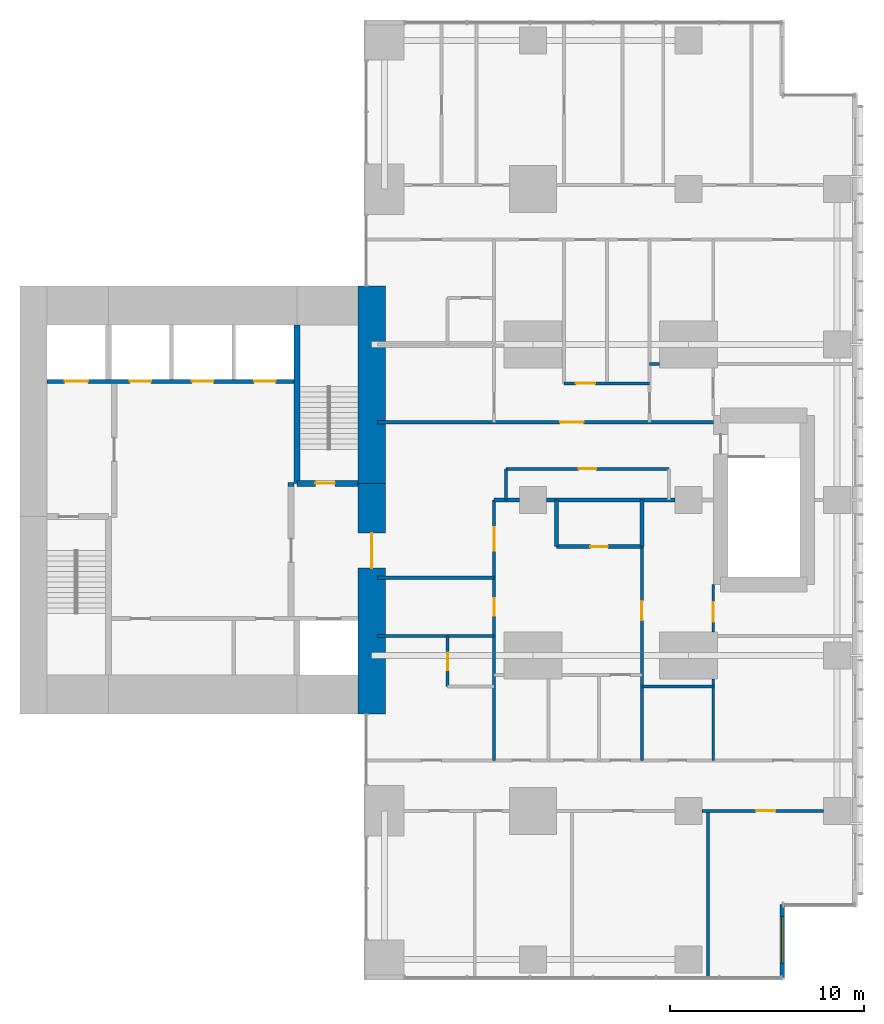
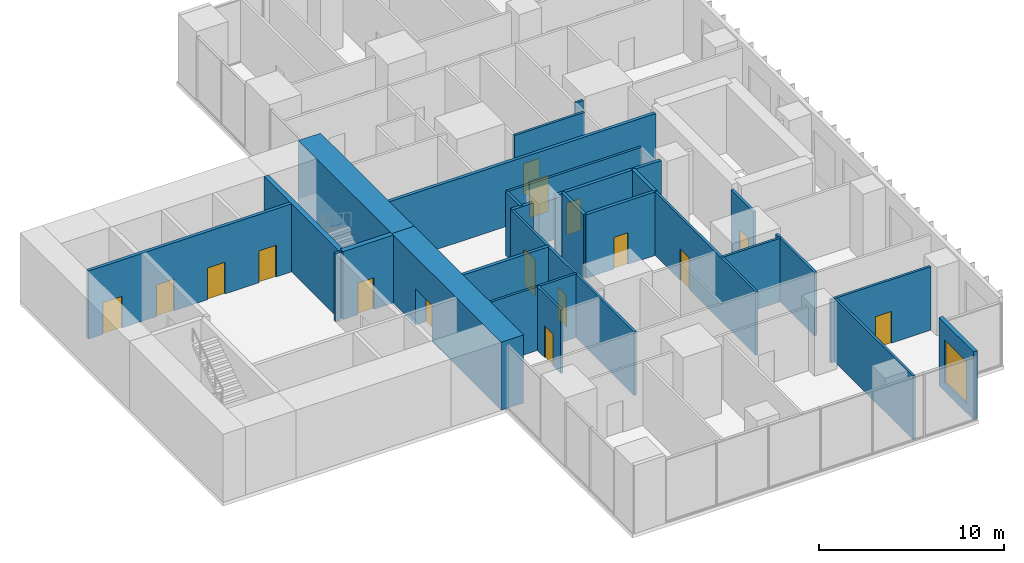
# One storey, part 8 of 11: 27 walls, 16 doors, 1 window, 17 openings.
"""IFC4 building model written with IfcOpenShell, lengths in metres."""

from ifc_helpers import new_model, si_unit, direction, frame, frame_2d, origin, place, context, subcontext, project, spatial, rectangle, extrude, material, layer, layer_set, type_object, element, fill, save


model = new_model("IFC4")

# Units and contexts
model_context = context("Model", 3, precision=1e-05, world=origin(), true_north=direction((0.0, 1.0)))
body_context = subcontext(model_context, "Body", "Model", "MODEL_VIEW")
ifc_project = project(units=[si_unit("LENGTHUNIT", "METRE"), si_unit("AREAUNIT", "SQUARE_METRE"), si_unit("VOLUMEUNIT", "CUBIC_METRE"), si_unit("PLANEANGLEUNIT", "RADIAN"), si_unit("MASSUNIT", "GRAM", prefix="KILO")], contexts=[model_context])

# Site, building, storey
site_placement = place(None, origin())
site = spatial("IfcSite", under=ifc_project, at=site_placement, CompositionType="ELEMENT")
building_placement = place(site_placement, origin())
building = spatial("IfcBuilding", under=site, at=building_placement, Name="Cleftline Residences", CompositionType="ELEMENT")
storey_placement = place(building_placement, frame((0.0, 0.0, 287.10009765625)))
storey = spatial("IfcBuildingStorey", under=building, at=storey_placement, Name="L75", CompositionType="ELEMENT", Elevation=287.10009765625)

# Wall, opening, door
ifc_material_1 = material(Name="Concrete B70", Category="concrete")
ifc_layer_1 = layer(ifc_material_1, 1.39990234375)
ifc_layer_set_1 = layer_set([ifc_layer_1], Name="CORE WALL 1400")
wall_type_1 = type_object("IfcWallType", Name="CORE WALL 1400", PredefinedType="SHEAR", material=ifc_layer_set_1)
wall_1_placement = place(storey_placement, frame((41.699951171875, 13.0, 0.0), z_axis=(0.0, 0.0, 1.0), x_axis=(0.0, 1.0, 0.0)))
wall_1 = element("IfcWall", 1, at=wall_1_placement, inside=storey, type_object=wall_type_1, Name="Core wall E", PredefinedType="SHEAR", context=body_context, shape_type="SweptSolid", body=[
    extrude(rectangle(XDim=11.85009765625, YDim=1.39990234375, at=frame_2d((5.925048828125, 0.0))), origin(), (0.0, 0.0, 1.0), 4.5),
])
opening_1_placement = place(wall_1_placement, frame((7.5, 0.0, 0.0)))
opening_1 = element("IfcOpeningElement", 2, at=opening_1_placement, cuts=wall_1, Name="Opening D7", PredefinedType="OPENING", context=body_context, shape_type="SweptSolid", body=[
    extrude(rectangle(XDim=1.800048828125, YDim=2.39990234375, at=frame_2d((0.89990234375, 1.199951171875))), frame((0.0, 0.7099609375, 0.0), z_axis=(0.0, -1.0, 0.0), x_axis=(1.0, 0.0, 0.0)), (0.0, 0.0, 1.0), 1.419921875),
])
ifc_material_2 = material(Name="Steel", Category="steel")
door_type_1 = type_object("IfcDoorType", Name="WING DOOR 1800X2400", OperationType="DOUBLE_DOOR_DOUBLE_SWING", PredefinedType="DOOR", material=ifc_material_2)
door_1_placement = place(opening_1_placement, origin())
door_1 = element("IfcDoor", 3, at=door_1_placement, inside=storey, type_object=door_type_1, Name="East wing door", OperationType="DOUBLE_DOOR_DOUBLE_SWING", OverallHeight=2.39990234375, OverallWidth=1.800048828125, PredefinedType="DOOR", context=body_context, shape_type="SweptSolid", body=[
    extrude(rectangle(XDim=1.800048828125, YDim=2.39990234375, at=frame_2d((0.89990234375, 1.199951171875))), frame((0.0, 0.02490234375, 0.0), z_axis=(0.0, -1.0, 0.0), x_axis=(1.0, 0.0, 0.0)), (0.0, 0.0, 1.0), 0.050048828125),
])
fill(opening_1, door_1)

# Walls
wall_2_placement = place(storey_placement, frame((41.699951171875, 24.85009765625, 0.0), z_axis=(0.0, 0.0, 1.0), x_axis=(0.0, 1.0, 0.0)))
element("IfcWall", 4, at=wall_2_placement, inside=storey, type_object=wall_type_1, Name="Core wall E1", PredefinedType="SHEAR", context=body_context, shape_type="SweptSolid", body=[
    extrude(rectangle(XDim=10.14990234375, YDim=1.39990234375, at=frame_2d((5.074951171875, 0.0))), origin(), (0.0, 0.0, 1.0), 4.5),
])
ifc_material_3 = material(Name="Concrete B70", Category="concrete")
ifc_layer_2 = layer(ifc_material_3, 0.300048828125)
ifc_layer_set_2 = layer_set([ifc_layer_2], Name="CORE WALL 300")
wall_type_2 = type_object("IfcWallType", Name="CORE WALL 300", PredefinedType="SHEAR", material=ifc_layer_set_2)
wall_3_placement = place(storey_placement, frame((37.85009765625, 24.85009765625, 0.0), z_axis=(0.0, 0.0, 1.0), x_axis=(0.0, 1.0, 0.0)))
element("IfcWall", 5, at=wall_3_placement, inside=storey, type_object=wall_type_2, Name="Core wall SB-W", PredefinedType="SHEAR", context=body_context, shape_type="SweptSolid", body=[
    extrude(rectangle(XDim=8.14990234375, YDim=0.300048828125, at=frame_2d((4.074951171875, 0.0))), origin(), (0.0, 0.0, 1.0), 4.5),
])

# Wall, opening, door
wall_4_placement = place(storey_placement, frame((37.85009765625, 24.85009765625, 0.0), z_axis=(0.0, 0.0, 1.0), x_axis=(1.0, 0.0, 0.0)))
wall_4 = element("IfcWall", 6, at=wall_4_placement, inside=storey, type_object=wall_type_2, Name="Core wall SB-S", PredefinedType="SHEAR", context=body_context, shape_type="SweptSolid", body=[
    extrude(rectangle(XDim=3.14990234375, YDim=0.300048828125, at=frame_2d((1.574951171875, 0.0))), origin(), (0.0, 0.0, 1.0), 4.5),
])
opening_2_placement = place(wall_4_placement, frame((0.949951171875, 0.0, 0.0)))
opening_2 = element("IfcOpeningElement", 7, at=opening_2_placement, cuts=wall_4, Name="Opening D5", PredefinedType="OPENING", context=body_context, shape_type="SweptSolid", body=[
    extrude(rectangle(XDim=1.0, YDim=2.10009765625, at=frame_2d((0.5, 1.050048828125))), frame((0.0, 0.159912109375, 0.0), z_axis=(0.0, -1.0, 0.0), x_axis=(1.0, 0.0, 0.0)), (0.0, 0.0, 1.0), 0.320068359375),
])
ifc_material_4 = material(Name="Steel", Category="steel")
door_type_2 = type_object("IfcDoorType", Name="STAIR DOOR 1000X2100", OperationType="SINGLE_SWING_LEFT", PredefinedType="DOOR", material=ifc_material_4)
door_2_placement = place(opening_2_placement, origin())
door_2 = element("IfcDoor", 8, at=door_2_placement, inside=storey, type_object=door_type_2, Name="Stair B door", OperationType="SINGLE_SWING_RIGHT", OverallHeight=2.10009765625, OverallWidth=1.0, PredefinedType="DOOR", context=body_context, shape_type="SweptSolid", body=[
    extrude(rectangle(XDim=1.0, YDim=2.10009765625, at=frame_2d((0.5, 1.050048828125))), frame((0.0, 0.02490234375, 0.0), z_axis=(0.0, -1.0, 0.0), x_axis=(1.0, 0.0, 0.0)), (0.0, 0.0, 1.0), 0.050048828125),
])
fill(opening_2, door_2)

# Wall, opening, window
ifc_material_5 = material(Name="Rendered reinforced concrete blockwork", Category="masonry")
ifc_layer_3 = layer(ifc_material_5, 0.25)
ifc_layer_set_3 = layer_set([ifc_layer_3], Name="EXTERNAL WALL 250")
wall_type_3 = type_object("IfcWallType", Name="EXTERNAL WALL 250", PredefinedType="SOLIDWALL", material=ifc_layer_set_3)
wall_5_placement = place(storey_placement, frame((62.824951171875, -0.574951171875, 0.0), z_axis=(0.0, 0.0, 1.0), x_axis=(0.0, 1.0, 0.0)))
wall_5 = element("IfcWall", 9, at=wall_5_placement, inside=storey, type_object=wall_type_3, Name="External wall", PredefinedType="SOLIDWALL", context=body_context, shape_type="SweptSolid", body=[
    extrude(rectangle(XDim=3.75, YDim=0.25, at=frame_2d((1.875, 0.0))), origin(), (0.0, 0.0, 1.0), 4.5),
])
opening_3_placement = place(wall_5_placement, frame((0.737548828125, 0.0, 0.60009765625)))
opening_3 = element("IfcOpeningElement", 10, at=opening_3_placement, cuts=wall_5, Name="Opening W15", PredefinedType="OPENING", context=body_context, shape_type="SweptSolid", body=[
    extrude(rectangle(XDim=2.39990234375, YDim=2.800048828125, at=frame_2d((1.199951171875, 1.39990234375))), frame((0.0, 0.135009765625, 0.0), z_axis=(0.0, -1.0, 0.0), x_axis=(1.0, 0.0, 0.0)), (0.0, 0.0, 1.0), 0.27001953125),
])
ifc_material_6 = material(Name="Aluminium frame, clear double glazing", Category="aluminium")
window_type = type_object("IfcWindowType", Name="WINDOW 2400X2800", PartitioningType="DOUBLE_PANEL_VERTICAL", PredefinedType="WINDOW", material=ifc_material_6)
window_placement = place(opening_3_placement, origin())
window = element("IfcWindow", 11, at=window_placement, inside=storey, type_object=window_type, Name="Window", OverallHeight=2.800048828125, OverallWidth=2.39990234375, PartitioningType="SINGLE_PANEL", PredefinedType="WINDOW", context=body_context, shape_type="SweptSolid", body=[
    extrude(rectangle(XDim=2.39990234375, YDim=2.800048828125, at=frame_2d((1.199951171875, 1.39990234375))), frame((0.0, 0.030029296875, 0.0), z_axis=(0.0, -1.0, 0.0), x_axis=(1.0, 0.0, 0.0)), (0.0, 0.0, 1.0), 0.06005859375),
])
fill(opening_3, window)

# Wall
ifc_material_7 = material(Name="Concrete blockwork, fire rated", Category="masonry")
ifc_layer_4 = layer(ifc_material_7, 0.199951171875)
ifc_layer_set_4 = layer_set([ifc_layer_4], Name="FIRE WALL 200")
wall_type_4 = type_object("IfcWallType", Name="FIRE WALL 200", PredefinedType="PARTITIONING", material=ifc_layer_set_4)
wall_6_placement = place(storey_placement, frame((42.0, 20.0, 0.0), z_axis=(0.0, 0.0, 1.0), x_axis=(1.0, 0.0, 0.0)))
element("IfcWall", 12, at=wall_6_placement, inside=storey, type_object=wall_type_4, Name="Fire separating wall", PredefinedType="PARTITIONING", context=body_context, shape_type="SweptSolid", body=[
    extrude(rectangle(XDim=6.0, YDim=0.199951171875, at=frame_2d((3.0, 0.0))), origin(), (0.0, 0.0, 1.0), 4.199951171875),
])

# Wall, opening, door
wall_7_placement = place(storey_placement, frame((51.199951171875, 21.60009765625, 0.0), z_axis=(0.0, 0.0, 1.0), x_axis=(1.0, 0.0, 0.0)))
wall_7 = element("IfcWall", 13, at=wall_7_placement, inside=storey, type_object=wall_type_4, Name="Fire separating wall", PredefinedType="PARTITIONING", context=body_context, shape_type="SweptSolid", body=[
    extrude(rectangle(XDim=4.400146484375, YDim=0.199951171875, at=frame_2d((2.2001953125, 0.0))), origin(), (0.0, 0.0, 1.0), 4.199951171875),
])
opening_4_placement = place(wall_7_placement, frame((1.75, 0.0, 0.0)))
opening_4 = element("IfcOpeningElement", 14, at=opening_4_placement, cuts=wall_7, Name="Opening D1F30", PredefinedType="OPENING", context=body_context, shape_type="SweptSolid", body=[
    extrude(rectangle(XDim=0.89990234375, YDim=2.10009765625, at=frame_2d((0.449951171875, 1.050048828125))), frame((0.0, 0.10986328125, 0.0), z_axis=(0.0, -1.0, 0.0), x_axis=(1.0, 0.0, 0.0)), (0.0, 0.0, 1.0), 0.219970703125),
])
ifc_material_8 = material(Name="Timber veneer on solid core", Category="wood")
door_type_3 = type_object("IfcDoorType", Name="DOOR 900X2100 EI 30", OperationType="SINGLE_SWING_LEFT", PredefinedType="DOOR", material=ifc_material_8)
door_3_placement = place(opening_4_placement, origin())
door_3 = element("IfcDoor", 15, at=door_3_placement, inside=storey, type_object=door_type_3, Name="Door to cloakroom wc", OperationType="SINGLE_SWING_LEFT", OverallHeight=2.10009765625, OverallWidth=0.89990234375, PredefinedType="DOOR", context=body_context, shape_type="SweptSolid", body=[
    extrude(rectangle(XDim=0.89990234375, YDim=2.10009765625, at=frame_2d((0.449951171875, 1.050048828125))), frame((0.0, 0.02490234375, 0.0), z_axis=(0.0, -1.0, 0.0), x_axis=(1.0, 0.0, 0.0)), (0.0, 0.0, 1.0), 0.050048828125),
])
fill(opening_4, door_3)

# Walls
wall_8_placement = place(storey_placement, frame((48.0, 24.0, 0.0), z_axis=(0.0, 0.0, 1.0), x_axis=(1.0, 0.0, 0.0)))
element("IfcWall", 16, at=wall_8_placement, inside=storey, type_object=wall_type_4, Name="Fire separating wall", PredefinedType="PARTITIONING", context=body_context, shape_type="SweptSolid", body=[
    extrude(rectangle(XDim=1.300048828125, YDim=0.199951171875, at=frame_2d((0.64990234375, 0.0))), origin(), (0.0, 0.0, 1.0), 4.199951171875),
])
wall_9_placement = place(storey_placement, frame((50.699951171875, 24.0, 0.0), z_axis=(0.0, 0.0, 1.0), x_axis=(1.0, 0.0, 0.0)))
element("IfcWall", 17, at=wall_9_placement, inside=storey, type_object=wall_type_4, Name="Fire separating wall", PredefinedType="PARTITIONING", context=body_context, shape_type="SweptSolid", body=[
    extrude(rectangle(XDim=6.60009765625, YDim=0.199951171875, at=frame_2d((3.300048828125, 0.0))), origin(), (0.0, 0.0, 1.0), 4.199951171875),
])

# Wall, opening, door
wall_10_placement = place(storey_placement, frame((42.0, 28.0, 0.0), z_axis=(0.0, 0.0, 1.0), x_axis=(1.0, 0.0, 0.0)))
wall_10 = element("IfcWall", 18, at=wall_10_placement, inside=storey, type_object=wall_type_4, Name="Fire separating wall", PredefinedType="PARTITIONING", context=body_context, shape_type="SweptSolid", body=[
    extrude(rectangle(XDim=17.27490234375, YDim=0.199951171875, at=frame_2d((8.637451171875, 0.0))), origin(), (0.0, 0.0, 1.0), 4.199951171875),
])
opening_5_placement = place(wall_10_placement, frame((9.39990234375, 0.0, 0.0)))
opening_5 = element("IfcOpeningElement", 19, at=opening_5_placement, cuts=wall_10, Name="Opening D4", PredefinedType="OPENING", context=body_context, shape_type="SweptSolid", body=[
    extrude(rectangle(XDim=1.199951171875, YDim=2.39990234375, at=frame_2d((0.60009765625, 1.199951171875))), frame((0.0, 0.10986328125, 0.0), z_axis=(0.0, -1.0, 0.0), x_axis=(1.0, 0.0, 0.0)), (0.0, 0.0, 1.0), 0.219970703125),
])
ifc_material_9 = material(Name="Timber veneer on solid core", Category="wood")
door_type_4 = type_object("IfcDoorType", Name="APARTMENT ENTRANCE DOOR 1200X2400", OperationType="SINGLE_SWING_RIGHT", PredefinedType="DOOR", material=ifc_material_9)
door_4_placement = place(opening_5_placement, origin())
door_4 = element("IfcDoor", 20, at=door_4_placement, inside=storey, type_object=door_type_4, Name="Door to residence entrance (gallery)", OperationType="SINGLE_SWING_LEFT", OverallHeight=2.39990234375, OverallWidth=1.199951171875, PredefinedType="DOOR", context=body_context, shape_type="SweptSolid", body=[
    extrude(rectangle(XDim=1.199951171875, YDim=2.39990234375, at=frame_2d((0.60009765625, 1.199951171875))), frame((0.0, 0.02490234375, 0.0), z_axis=(0.0, -1.0, 0.0), x_axis=(1.0, 0.0, 0.0)), (0.0, 0.0, 1.0), 0.050048828125),
])
fill(opening_5, door_4)

# Walls
for number, where, z_axis, x_axis, name in (
    (21, (51.199951171875, 21.60009765625, 0.0), (0.0, 0.0, 1.0), (0.0, 1.0, 0.0), "Fire separating wall"),
    (22, (55.60009765625, 21.60009765625, 0.0), (0.0, 0.0, 1.0), (0.0, 1.0, 0.0), "Fire separating wall"),
):
    element("IfcWall", number, at=place(storey_placement, frame(where, z_axis=z_axis, x_axis=x_axis)), inside=storey, type_object=wall_type_4, Name=name, PredefinedType="PARTITIONING", context=body_context, shape_type="SweptSolid", body=[
        extrude(rectangle(XDim=2.39990234375, YDim=0.199951171875, at=frame_2d((1.199951171875, 0.0))), origin(), (0.0, 0.0, 1.0), 4.199951171875),
    ])
wall_11_placement = place(storey_placement, frame((37.39990234375, 24.800048828125, 0.0), z_axis=(0.0, 0.0, 1.0), x_axis=(1.0, 0.0, 0.0)))
element("IfcWall", 23, at=wall_11_placement, inside=storey, type_object=wall_type_4, Name="Fire separating wall", PredefinedType="PARTITIONING", context=body_context, shape_type="SweptSolid", body=[
    extrude(rectangle(XDim=0.300048828125, YDim=0.199951171875, at=frame_2d((0.14990234375, 0.0))), origin(), (0.0, 0.0, 1.0), 4.5),
])

# Wall, opening, door
ifc_material_10 = material(Name="Gypsum board on steel studs", Category="steel")
ifc_layer_5 = layer(ifc_material_10, 0.14990234375)
ifc_layer_set_5 = layer_set([ifc_layer_5], Name="PARTITION 150")
wall_type_5 = type_object("IfcWallType", Name="PARTITION 150", PredefinedType="PARTITIONING", material=ifc_layer_set_5)
wall_12_placement = place(storey_placement, frame((58.699951171875, 8.0, 0.0), z_axis=(0.0, 0.0, 1.0), x_axis=(1.0, 0.0, 0.0)))
wall_12 = element("IfcWall", 24, at=wall_12_placement, inside=storey, type_object=wall_type_5, Name="Partition", PredefinedType="PARTITIONING", context=body_context, shape_type="SweptSolid", body=[
    extrude(rectangle(XDim=6.25, YDim=0.14990234375, at=frame_2d((3.125, 0.0))), origin(), (0.0, 0.0, 1.0), 4.199951171875),
])
opening_6_placement = place(wall_12_placement, frame((2.77490234375, 0.0, 0.0)))
opening_6 = element("IfcOpeningElement", 25, at=opening_6_placement, cuts=wall_12, Name="Opening D2", PredefinedType="OPENING", context=body_context, shape_type="SweptSolid", body=[
    extrude(rectangle(XDim=1.0, YDim=2.10009765625, at=frame_2d((0.5, 1.050048828125))), frame((0.0, 0.0849609375, 0.0), z_axis=(0.0, -1.0, 0.0), x_axis=(1.0, 0.0, 0.0)), (0.0, 0.0, 1.0), 0.169921875),
])
ifc_material_11 = material(Name="Timber veneer on solid core", Category="wood")
door_type_5 = type_object("IfcDoorType", Name="DOOR 1000X2100", OperationType="SINGLE_SWING_LEFT", PredefinedType="DOOR", material=ifc_material_11)
door_5_placement = place(opening_6_placement, origin())
door_5 = element("IfcDoor", 26, at=door_5_placement, inside=storey, type_object=door_type_5, Name="Door to winter garden", OperationType="SINGLE_SWING_LEFT", OverallHeight=2.10009765625, OverallWidth=1.0, PredefinedType="DOOR", context=body_context, shape_type="SweptSolid", body=[
    extrude(rectangle(XDim=1.0, YDim=2.10009765625, at=frame_2d((0.5, 1.050048828125))), frame((0.0, 0.02490234375, 0.0), z_axis=(0.0, -1.0, 0.0), x_axis=(1.0, 0.0, 0.0)), (0.0, 0.0, 1.0), 0.050048828125),
])
fill(opening_6, door_5)

# Walls
wall_13_placement = place(storey_placement, frame((55.60009765625, 14.39990234375, 0.0), z_axis=(0.0, 0.0, 1.0), x_axis=(1.0, 0.0, 0.0)))
element("IfcWall", 27, at=wall_13_placement, inside=storey, type_object=wall_type_5, Name="Partition", PredefinedType="PARTITIONING", context=body_context, shape_type="SweptSolid", body=[
    extrude(rectangle(XDim=3.6748046875, YDim=0.14990234375, at=frame_2d((1.83740234375, 0.0))), origin(), (0.0, 0.0, 1.0), 4.199951171875),
])
wall_14_placement = place(storey_placement, frame((42.0, 17.0, 0.0), z_axis=(0.0, 0.0, 1.0), x_axis=(1.0, 0.0, 0.0)))
element("IfcWall", 28, at=wall_14_placement, inside=storey, type_object=wall_type_5, Name="Partition", PredefinedType="PARTITIONING", context=body_context, shape_type="SweptSolid", body=[
    extrude(rectangle(XDim=6.0, YDim=0.14990234375, at=frame_2d((3.0, 0.0))), origin(), (0.0, 0.0, 1.0), 4.199951171875),
])

# Wall, opening, door
wall_15_placement = place(storey_placement, frame((48.60009765625, 25.60009765625, 0.0), z_axis=(0.0, 0.0, 1.0), x_axis=(1.0, 0.0, 0.0)))
wall_15 = element("IfcWall", 29, at=wall_15_placement, inside=storey, type_object=wall_type_5, Name="Partition", PredefinedType="PARTITIONING", context=body_context, shape_type="SweptSolid", body=[
    extrude(rectangle(XDim=8.39990234375, YDim=0.14990234375, at=frame_2d((4.199951171875, 0.0))), origin(), (0.0, 0.0, 1.0), 4.199951171875),
])
opening_7_placement = place(wall_15_placement, frame((3.75, 0.0, 0.0)))
opening_7 = element("IfcOpeningElement", 30, at=opening_7_placement, cuts=wall_15, Name="Opening D1", PredefinedType="OPENING", context=body_context, shape_type="SweptSolid", body=[
    extrude(rectangle(XDim=0.89990234375, YDim=2.10009765625, at=frame_2d((0.449951171875, 1.050048828125))), frame((0.0, 0.0849609375, 0.0), z_axis=(0.0, -1.0, 0.0), x_axis=(1.0, 0.0, 0.0)), (0.0, 0.0, 1.0), 0.169921875),
])
ifc_material_12 = material(Name="Timber veneer on solid core", Category="wood")
door_type_6 = type_object("IfcDoorType", Name="DOOR 900X2100", OperationType="SINGLE_SWING_LEFT", PredefinedType="DOOR", material=ifc_material_12)
door_6_placement = place(opening_7_placement, origin())
door_6 = element("IfcDoor", 31, at=door_6_placement, inside=storey, type_object=door_type_6, Name="Door to residents' locker room", OperationType="SINGLE_SWING_LEFT", OverallHeight=2.10009765625, OverallWidth=0.89990234375, PredefinedType="DOOR", context=body_context, shape_type="SweptSolid", body=[
    extrude(rectangle(XDim=0.89990234375, YDim=2.10009765625, at=frame_2d((0.449951171875, 1.050048828125))), frame((0.0, 0.02490234375, 0.0), z_axis=(0.0, -1.0, 0.0), x_axis=(1.0, 0.0, 0.0)), (0.0, 0.0, 1.0), 0.050048828125),
])
fill(opening_7, door_6)

wall_16_placement = place(storey_placement, frame((51.60009765625, 30.0, 0.0), z_axis=(0.0, 0.0, 1.0), x_axis=(1.0, 0.0, 0.0)))
wall_16 = element("IfcWall", 32, at=wall_16_placement, inside=storey, type_object=wall_type_5, Name="Partition", PredefinedType="PARTITIONING", context=body_context, shape_type="SweptSolid", body=[
    extrude(rectangle(XDim=4.39990234375, YDim=0.14990234375, at=frame_2d((2.199951171875, 0.0))), origin(), (0.0, 0.0, 1.0), 4.199951171875),
])
opening_8_placement = place(wall_16_placement, frame((0.60009765625, 0.0, 0.0)))
opening_8 = element("IfcOpeningElement", 33, at=opening_8_placement, cuts=wall_16, Name="Opening D2", PredefinedType="OPENING", context=body_context, shape_type="SweptSolid", body=[
    extrude(rectangle(XDim=1.0, YDim=2.10009765625, at=frame_2d((0.5, 1.050048828125))), frame((0.0, 0.0849609375, 0.0), z_axis=(0.0, -1.0, 0.0), x_axis=(1.0, 0.0, 0.0)), (0.0, 0.0, 1.0), 0.169921875),
])
door_7_placement = place(opening_8_placement, origin())
door_7 = element("IfcDoor", 34, at=door_7_placement, inside=storey, type_object=door_type_5, Name="Door to residence passage", OperationType="SINGLE_SWING_RIGHT", OverallHeight=2.10009765625, OverallWidth=1.0, PredefinedType="DOOR", context=body_context, shape_type="SweptSolid", body=[
    extrude(rectangle(XDim=1.0, YDim=2.10009765625, at=frame_2d((0.5, 1.050048828125))), frame((0.0, 0.02490234375, 0.0), z_axis=(0.0, -1.0, 0.0), x_axis=(1.0, 0.0, 0.0)), (0.0, 0.0, 1.0), 0.050048828125),
])
fill(opening_8, door_7)

# Wall
wall_17_placement = place(storey_placement, frame((56.0, 31.0, 0.0), z_axis=(0.0, 0.0, 1.0), x_axis=(1.0, 0.0, 0.0)))
element("IfcWall", 35, at=wall_17_placement, inside=storey, type_object=wall_type_5, Name="Partition", PredefinedType="PARTITIONING", context=body_context, shape_type="SweptSolid", body=[
    extrude(rectangle(XDim=0.5, YDim=0.14990234375, at=frame_2d((0.25, 0.0))), origin(), (0.0, 0.0, 1.0), 4.199951171875),
])

# Wall, opening, door
wall_18_placement = place(storey_placement, frame((45.60009765625, 14.39990234375, 0.0), z_axis=(0.0, 0.0, 1.0), x_axis=(0.0, 1.0, 0.0)))
wall_18 = element("IfcWall", 36, at=wall_18_placement, inside=storey, type_object=wall_type_5, Name="Partition", PredefinedType="PARTITIONING", context=body_context, shape_type="SweptSolid", body=[
    extrude(rectangle(XDim=2.60009765625, YDim=0.14990234375, at=frame_2d((1.300048828125, 0.0))), origin(), (0.0, 0.0, 1.0), 4.199951171875),
])
opening_9_placement = place(wall_18_placement, frame((0.85009765625, 0.0, 0.0)))
opening_9 = element("IfcOpeningElement", 37, at=opening_9_placement, cuts=wall_18, Name="Opening D1", PredefinedType="OPENING", context=body_context, shape_type="SweptSolid", body=[
    extrude(rectangle(XDim=0.89990234375, YDim=2.10009765625, at=frame_2d((0.449951171875, 1.050048828125))), frame((0.0, 0.0849609375, 0.0), z_axis=(0.0, -1.0, 0.0), x_axis=(1.0, 0.0, 0.0)), (0.0, 0.0, 1.0), 0.169921875),
])
door_8_placement = place(opening_9_placement, origin())
door_8 = element("IfcDoor", 38, at=door_8_placement, inside=storey, type_object=door_type_6, Name="Door to staff shower room", OperationType="SINGLE_SWING_LEFT", OverallHeight=2.10009765625, OverallWidth=0.89990234375, PredefinedType="DOOR", context=body_context, shape_type="SweptSolid", body=[
    extrude(rectangle(XDim=0.89990234375, YDim=2.10009765625, at=frame_2d((0.449951171875, 1.050048828125))), frame((0.0, 0.02490234375, 0.0), z_axis=(0.0, -1.0, 0.0), x_axis=(1.0, 0.0, 0.0)), (0.0, 0.0, 1.0), 0.050048828125),
])
fill(opening_9, door_8)

# Wall, openings, doors
wall_19_placement = place(storey_placement, frame((48.0, 10.60009765625, 0.0), z_axis=(0.0, 0.0, 1.0), x_axis=(0.0, 1.0, 0.0)))
wall_19 = element("IfcWall", 39, at=wall_19_placement, inside=storey, type_object=wall_type_5, Name="Partition", PredefinedType="PARTITIONING", context=body_context, shape_type="SweptSolid", body=[
    extrude(rectangle(XDim=13.39990234375, YDim=0.14990234375, at=frame_2d((6.699951171875, 0.0))), origin(), (0.0, 0.0, 1.0), 4.199951171875),
])
opening_10_placement = place(wall_19_placement, frame((10.800048828125, 0.0, 0.0)))
opening_10 = element("IfcOpeningElement", 40, at=opening_10_placement, cuts=wall_19, Name="Opening D4", PredefinedType="OPENING", context=body_context, shape_type="SweptSolid", body=[
    extrude(rectangle(XDim=1.199951171875, YDim=2.39990234375, at=frame_2d((0.60009765625, 1.199951171875))), frame((0.0, 0.0849609375, 0.0), z_axis=(0.0, -1.0, 0.0), x_axis=(1.0, 0.0, 0.0)), (0.0, 0.0, 1.0), 0.169921875),
])
opening_11_placement = place(wall_19_placement, frame((7.449951171875, 0.0, 0.0)))
opening_11 = element("IfcOpeningElement", 41, at=opening_11_placement, cuts=wall_19, Name="Opening D1F60", PredefinedType="OPENING", context=body_context, shape_type="SweptSolid", body=[
    extrude(rectangle(XDim=0.89990234375, YDim=2.10009765625, at=frame_2d((0.449951171875, 1.050048828125))), frame((0.0, 0.0849609375, 0.0), z_axis=(0.0, -1.0, 0.0), x_axis=(1.0, 0.0, 0.0)), (0.0, 0.0, 1.0), 0.169921875),
])
door_9_placement = place(opening_10_placement, origin())
door_9 = element("IfcDoor", 42, at=door_9_placement, inside=storey, type_object=door_type_4, Name="Door to residence entrance foyer", OperationType="SINGLE_SWING_LEFT", OverallHeight=2.39990234375, OverallWidth=1.199951171875, PredefinedType="DOOR", context=body_context, shape_type="SweptSolid", body=[
    extrude(rectangle(XDim=1.199951171875, YDim=2.39990234375, at=frame_2d((0.60009765625, 1.199951171875))), frame((0.0, 0.02490234375, 0.0), z_axis=(0.0, -1.0, 0.0), x_axis=(1.0, 0.0, 0.0)), (0.0, 0.0, 1.0), 0.050048828125),
])
fill(opening_10, door_9)
ifc_material_13 = material(Name="Timber veneer on solid core", Category="wood")
door_type_7 = type_object("IfcDoorType", Name="DOOR 900X2100 EI 60", OperationType="SINGLE_SWING_LEFT", PredefinedType="DOOR", material=ifc_material_13)
door_10_placement = place(opening_11_placement, origin())
door_10 = element("IfcDoor", 43, at=door_10_placement, inside=storey, type_object=door_type_7, Name="Door to utility room", OperationType="SINGLE_SWING_LEFT", OverallHeight=2.10009765625, OverallWidth=0.89990234375, PredefinedType="DOOR", context=body_context, shape_type="SweptSolid", body=[
    extrude(rectangle(XDim=0.89990234375, YDim=2.10009765625, at=frame_2d((0.449951171875, 1.050048828125))), frame((0.0, 0.02490234375, 0.0), z_axis=(0.0, -1.0, 0.0), x_axis=(1.0, 0.0, 0.0)), (0.0, 0.0, 1.0), 0.050048828125),
])
fill(opening_11, door_10)

# Wall
wall_20_placement = place(storey_placement, frame((48.60009765625, 24.0, 0.0), z_axis=(0.0, 0.0, 1.0), x_axis=(0.0, 1.0, 0.0)))
element("IfcWall", 44, at=wall_20_placement, inside=storey, type_object=wall_type_5, Name="Partition", PredefinedType="PARTITIONING", context=body_context, shape_type="SweptSolid", body=[
    extrude(rectangle(XDim=1.60009765625, YDim=0.14990234375, at=frame_2d((0.800048828125, 0.0))), origin(), (0.0, 0.0, 1.0), 4.199951171875),
])

# Wall, opening, door
wall_21_placement = place(storey_placement, frame((55.60009765625, 10.60009765625, 0.0), z_axis=(0.0, 0.0, 1.0), x_axis=(0.0, 1.0, 0.0)))
wall_21 = element("IfcWall", 45, at=wall_21_placement, inside=storey, type_object=wall_type_5, Name="Partition", PredefinedType="PARTITIONING", context=body_context, shape_type="SweptSolid", body=[
    extrude(rectangle(XDim=11.0, YDim=0.14990234375, at=frame_2d((5.5, 0.0))), origin(), (0.0, 0.0, 1.0), 4.199951171875),
])
opening_12_placement = place(wall_21_placement, frame((7.199951171875, 0.0, 0.0)))
opening_12 = element("IfcOpeningElement", 46, at=opening_12_placement, cuts=wall_21, Name="Opening D2F30", PredefinedType="OPENING", context=body_context, shape_type="SweptSolid", body=[
    extrude(rectangle(XDim=1.0, YDim=2.10009765625, at=frame_2d((0.5, 1.050048828125))), frame((0.0, 0.0849609375, 0.0), z_axis=(0.0, -1.0, 0.0), x_axis=(1.0, 0.0, 0.0)), (0.0, 0.0, 1.0), 0.169921875),
])
ifc_material_14 = material(Name="Timber veneer on solid core", Category="wood")
door_type_8 = type_object("IfcDoorType", Name="DOOR 1000X2100 EI 30", OperationType="SINGLE_SWING_LEFT", PredefinedType="DOOR", material=ifc_material_14)
door_11_placement = place(opening_12_placement, origin())
door_11 = element("IfcDoor", 47, at=door_11_placement, inside=storey, type_object=door_type_8, Name="Door to residence lobby", OperationType="SINGLE_SWING_LEFT", OverallHeight=2.10009765625, OverallWidth=1.0, PredefinedType="DOOR", context=body_context, shape_type="SweptSolid", body=[
    extrude(rectangle(XDim=1.0, YDim=2.10009765625, at=frame_2d((0.5, 1.050048828125))), frame((0.0, 0.02490234375, 0.0), z_axis=(0.0, -1.0, 0.0), x_axis=(1.0, 0.0, 0.0)), (0.0, 0.0, 1.0), 0.050048828125),
])
fill(opening_12, door_11)

# Walls
wall_22_placement = place(storey_placement, frame((59.0, -0.56103515625, 0.0), z_axis=(0.0, 0.0, 1.0), x_axis=(0.0, 1.0, 0.0)))
element("IfcWall", 48, at=wall_22_placement, inside=storey, type_object=wall_type_5, Name="Partition", PredefinedType="PARTITIONING", context=body_context, shape_type="SweptSolid", body=[
    extrude(rectangle(XDim=8.56103515625, YDim=0.14990234375, at=frame_2d((4.280517578125, 0.0))), origin(), (0.0, 0.0, 1.0), 4.199951171875),
])
wall_23_placement = place(storey_placement, frame((59.27490234375, 10.60009765625, 0.0), z_axis=(0.0, 0.0, 1.0), x_axis=(0.0, 1.0, 0.0)))
element("IfcWall", 49, at=wall_23_placement, inside=storey, type_object=wall_type_5, Name="Partition", PredefinedType="PARTITIONING", context=body_context, shape_type="SweptSolid", body=[
    extrude(rectangle(XDim=4.199951171875, YDim=0.14990234375, at=frame_2d((2.10009765625, 0.0))), origin(), (0.0, 0.0, 1.0), 4.199951171875),
])

# Wall, opening, door
wall_24_placement = place(storey_placement, frame((59.27490234375, 17.199951171875, 0.0), z_axis=(0.0, 0.0, 1.0), x_axis=(0.0, 1.0, 0.0)))
wall_24 = element("IfcWall", 50, at=wall_24_placement, inside=storey, type_object=wall_type_5, Name="Partition", PredefinedType="PARTITIONING", context=body_context, shape_type="SweptSolid", body=[
    extrude(rectangle(XDim=2.449951171875, YDim=0.14990234375, at=frame_2d((1.22509765625, 0.0))), origin(), (0.0, 0.0, 1.0), 4.199951171875),
])
opening_13_placement = place(wall_24_placement, frame((0.53759765625, 0.0, 0.0)))
opening_13 = element("IfcOpeningElement", 51, at=opening_13_placement, cuts=wall_24, Name="Opening D2", PredefinedType="OPENING", context=body_context, shape_type="SweptSolid", body=[
    extrude(rectangle(XDim=1.0, YDim=2.10009765625, at=frame_2d((0.5, 1.050048828125))), frame((0.0, 0.0849609375, 0.0), z_axis=(0.0, -1.0, 0.0), x_axis=(1.0, 0.0, 0.0)), (0.0, 0.0, 1.0), 0.169921875),
])
door_12_placement = place(opening_13_placement, origin())
door_12 = element("IfcDoor", 52, at=door_12_placement, inside=storey, type_object=door_type_5, Name="Door to library", OperationType="SINGLE_SWING_RIGHT", OverallHeight=2.10009765625, OverallWidth=1.0, PredefinedType="DOOR", context=body_context, shape_type="SweptSolid", body=[
    extrude(rectangle(XDim=1.0, YDim=2.10009765625, at=frame_2d((0.5, 1.050048828125))), frame((0.0, 0.02490234375, 0.0), z_axis=(0.0, -1.0, 0.0), x_axis=(1.0, 0.0, 0.0)), (0.0, 0.0, 1.0), 0.050048828125),
])
fill(opening_13, door_12)

# Wall, openings, doors
ifc_material_15 = material(Name="Concrete blockwork, fire rated", Category="masonry")
ifc_layer_6 = layer(ifc_material_15, 0.199951171875)
ifc_layer_set_6 = layer_set([ifc_layer_6], Name="SHAFT WALL 200")
wall_type_6 = type_object("IfcWallType", Name="SHAFT WALL 200", PredefinedType="PARTITIONING", material=ifc_layer_set_6)
wall_25_placement = place(storey_placement, frame((25.0, 30.10009765625, 0.0), z_axis=(0.0, 0.0, 1.0), x_axis=(1.0, 0.0, 0.0)))
wall_25 = element("IfcWall", 53, at=wall_25_placement, inside=storey, type_object=wall_type_6, Name="Lift shaft wall", PredefinedType="PARTITIONING", context=body_context, shape_type="SweptSolid", body=[
    extrude(rectangle(XDim=12.699951171875, YDim=0.199951171875, at=frame_2d((6.35009765625, 0.0))), origin(), (0.0, 0.0, 1.0), 4.5),
])
opening_14_placement = place(wall_25_placement, frame((4.25, 0.0, 0.0)))
opening_14 = element("IfcOpeningElement", 54, at=opening_14_placement, cuts=wall_25, Name="Opening LD1", PredefinedType="OPENING", context=body_context, shape_type="SweptSolid", body=[
    extrude(rectangle(XDim=1.10009765625, YDim=2.10009765625, at=frame_2d((0.550048828125, 1.050048828125))), frame((0.0, 0.10986328125, 0.0), z_axis=(0.0, -1.0, 0.0), x_axis=(1.0, 0.0, 0.0)), (0.0, 0.0, 1.0), 0.219970703125),
])
opening_15_placement = place(wall_25_placement, frame((7.449951171875, 0.0, 0.0)))
opening_15 = element("IfcOpeningElement", 55, at=opening_15_placement, cuts=wall_25, Name="Opening LD1", PredefinedType="OPENING", context=body_context, shape_type="SweptSolid", body=[
    extrude(rectangle(XDim=1.10009765625, YDim=2.10009765625, at=frame_2d((0.550048828125, 1.050048828125))), frame((0.0, 0.10986328125, 0.0), z_axis=(0.0, -1.0, 0.0), x_axis=(1.0, 0.0, 0.0)), (0.0, 0.0, 1.0), 0.219970703125),
])
opening_16_placement = place(wall_25_placement, frame((10.64990234375, 0.0, 0.0)))
opening_16 = element("IfcOpeningElement", 56, at=opening_16_placement, cuts=wall_25, Name="Opening LD1", PredefinedType="OPENING", context=body_context, shape_type="SweptSolid", body=[
    extrude(rectangle(XDim=1.10009765625, YDim=2.10009765625, at=frame_2d((0.550048828125, 1.050048828125))), frame((0.0, 0.10986328125, 0.0), z_axis=(0.0, -1.0, 0.0), x_axis=(1.0, 0.0, 0.0)), (0.0, 0.0, 1.0), 0.219970703125),
])
opening_17_placement = place(wall_25_placement, frame((0.89990234375, 0.0, 0.0)))
opening_17 = element("IfcOpeningElement", 57, at=opening_17_placement, cuts=wall_25, Name="Opening LD2", PredefinedType="OPENING", context=body_context, shape_type="SweptSolid", body=[
    extrude(rectangle(XDim=1.199951171875, YDim=2.10009765625, at=frame_2d((0.60009765625, 1.050048828125))), frame((0.0, 0.10986328125, 0.0), z_axis=(0.0, -1.0, 0.0), x_axis=(1.0, 0.0, 0.0)), (0.0, 0.0, 1.0), 0.219970703125),
])
ifc_material_16 = material(Name="Steel", Category="steel")
door_type_9 = type_object("IfcDoorType", Name="FIREFIGHTING LIFT LANDING DOOR 1200X2100", OperationType="SLIDING_TO_LEFT", PredefinedType="DOOR", material=ifc_material_16)
door_13_placement = place(opening_17_placement, origin())
door_13 = element("IfcDoor", 58, at=door_13_placement, inside=storey, type_object=door_type_9, Name="Lift FL1 landing door", OperationType="SLIDING_TO_LEFT", OverallHeight=2.10009765625, OverallWidth=1.199951171875, PredefinedType="DOOR", context=body_context, shape_type="SweptSolid", body=[
    extrude(rectangle(XDim=1.199951171875, YDim=2.10009765625, at=frame_2d((0.60009765625, 1.050048828125))), frame((0.0, 0.02490234375, 0.0), z_axis=(0.0, -1.0, 0.0), x_axis=(1.0, 0.0, 0.0)), (0.0, 0.0, 1.0), 0.050048828125),
])
fill(opening_17, door_13)
ifc_material_17 = material(Name="Steel", Category="steel")
door_type_10 = type_object("IfcDoorType", Name="LIFT LANDING DOOR 1100X2100", OperationType="SLIDING_TO_LEFT", PredefinedType="DOOR", material=ifc_material_17)
door_14_placement = place(opening_14_placement, origin())
door_14 = element("IfcDoor", 59, at=door_14_placement, inside=storey, type_object=door_type_10, Name="Lift P4 landing door", OperationType="SLIDING_TO_LEFT", OverallHeight=2.10009765625, OverallWidth=1.10009765625, PredefinedType="DOOR", context=body_context, shape_type="SweptSolid", body=[
    extrude(rectangle(XDim=1.10009765625, YDim=2.10009765625, at=frame_2d((0.550048828125, 1.050048828125))), frame((0.0, 0.02490234375, 0.0), z_axis=(0.0, -1.0, 0.0), x_axis=(1.0, 0.0, 0.0)), (0.0, 0.0, 1.0), 0.050048828125),
])
fill(opening_14, door_14)
door_15_placement = place(opening_15_placement, origin())
door_15 = element("IfcDoor", 60, at=door_15_placement, inside=storey, type_object=door_type_10, Name="Lift P5 landing door", OperationType="SLIDING_TO_LEFT", OverallHeight=2.10009765625, OverallWidth=1.10009765625, PredefinedType="DOOR", context=body_context, shape_type="SweptSolid", body=[
    extrude(rectangle(XDim=1.10009765625, YDim=2.10009765625, at=frame_2d((0.550048828125, 1.050048828125))), frame((0.0, 0.02490234375, 0.0), z_axis=(0.0, -1.0, 0.0), x_axis=(1.0, 0.0, 0.0)), (0.0, 0.0, 1.0), 0.050048828125),
])
fill(opening_15, door_15)
door_16_placement = place(opening_16_placement, origin())
door_16 = element("IfcDoor", 61, at=door_16_placement, inside=storey, type_object=door_type_10, Name="Lift P6 landing door", OperationType="SLIDING_TO_LEFT", OverallHeight=2.10009765625, OverallWidth=1.10009765625, PredefinedType="DOOR", context=body_context, shape_type="SweptSolid", body=[
    extrude(rectangle(XDim=1.10009765625, YDim=2.10009765625, at=frame_2d((0.550048828125, 1.050048828125))), frame((0.0, 0.02490234375, 0.0), z_axis=(0.0, -1.0, 0.0), x_axis=(1.0, 0.0, 0.0)), (0.0, 0.0, 1.0), 0.050048828125),
])
fill(opening_16, door_16)

save(model, "model.ifc")
